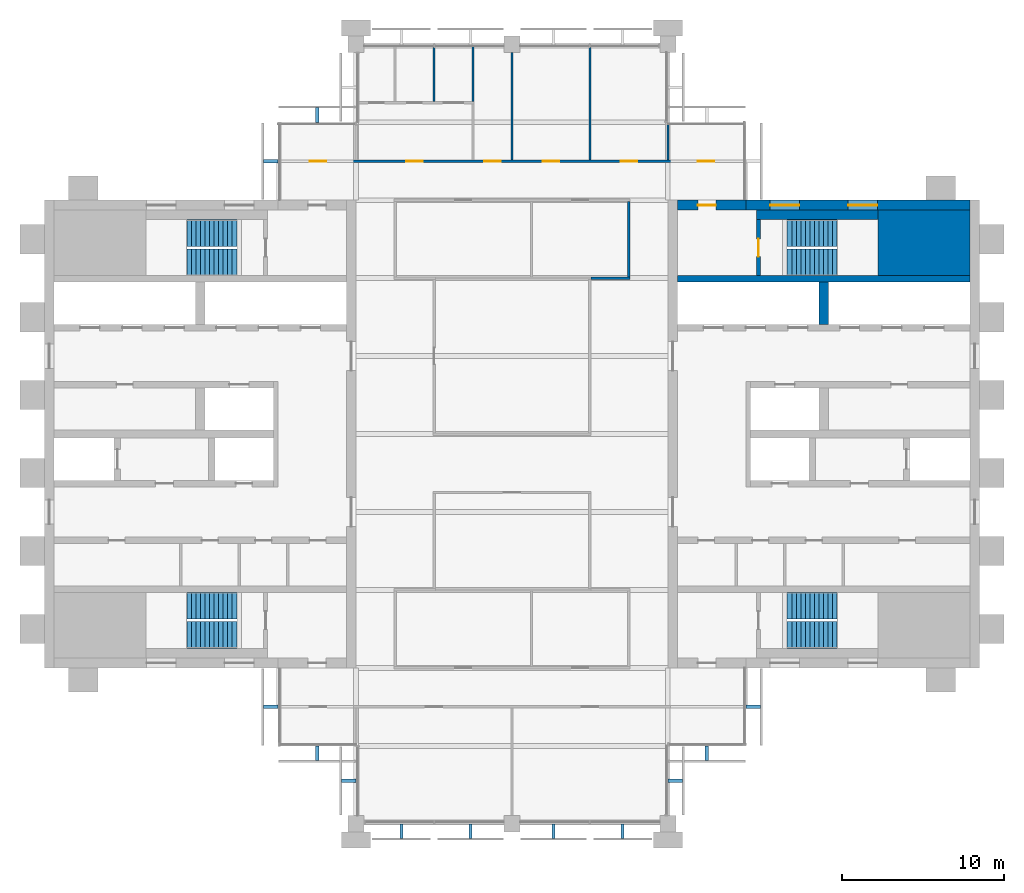
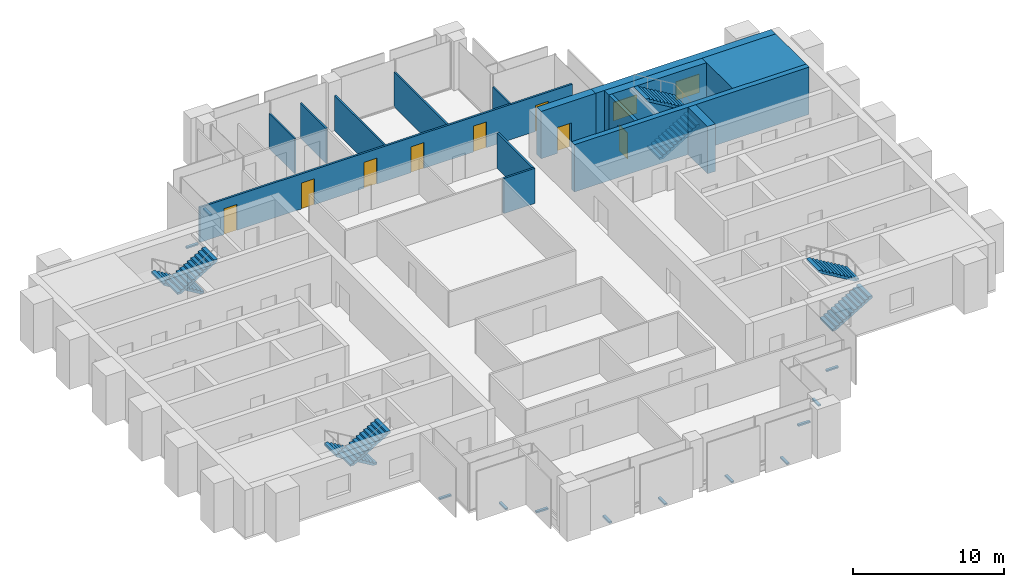
# One storey, part 11 of 13: 15 walls, 12 discrete accessories, 8 doors, 8 stair flights, 2 windows, 10 openings, 4 elements without a shape of their own.
"""IFC4 building model written with IfcOpenShell, lengths in metres."""

from ifc_helpers import new_model, si_unit, direction, frame, frame_2d, origin, origin_2d, place, context, subcontext, project, spatial, polyline, rectangle, outline, extrude, material, layer, layer_set, type_object, element, fill, aggregate, save


model = new_model("IFC4")

# Units and contexts
model_context = context("Model", 3, precision=1e-05, world=origin(), true_north=direction((0.0, 1.0)))
body_context = subcontext(model_context, "Body", "Model", "MODEL_VIEW")
ifc_project = project(units=[si_unit("LENGTHUNIT", "METRE"), si_unit("AREAUNIT", "SQUARE_METRE"), si_unit("VOLUMEUNIT", "CUBIC_METRE"), si_unit("PLANEANGLEUNIT", "RADIAN"), si_unit("MASSUNIT", "GRAM", prefix="KILO")], contexts=[model_context])

# Site, building, storey
site_placement = place(None, origin())
site = spatial("IfcSite", under=ifc_project, at=site_placement, CompositionType="ELEMENT")
building_placement = place(site_placement, origin())
building = spatial("IfcBuilding", under=site, at=building_placement, Name="Baori Bourse Tower", CompositionType="ELEMENT")
storey_placement = place(building_placement, frame((0.0, 0.0, 346.300048828125)))
storey = spatial("IfcBuildingStorey", under=building, at=storey_placement, Name="L77", CompositionType="ELEMENT", Elevation=346.300048828125)

# Wall
ifc_material_1 = material(Name="Concrete f'c 40 MPa", Category="concrete")
wall_type_1 = type_object("IfcWallType", Name="Core corner block f'c 40", PredefinedType="SHEAR", material=ifc_material_1)
wall_1_placement = place(storey_placement, frame((51.35009765625, 35.77490234375, 0.0), z_axis=(0.0, 0.0, 1.0), x_axis=(1.0, 0.0, 0.0)))
element("IfcWall", 1, at=wall_1_placement, inside=storey, type_object=wall_type_1, Name="Core wall E23", PredefinedType="SHEAR", context=body_context, shape_type="SweptSolid", body=[
    extrude(rectangle(XDim=5.64990234375, YDim=4.050048828125, at=frame_2d((2.824951171875, 0.0))), origin(), (0.0, 0.0, 1.0), 3.83984375),
])

# Wall, openings, windows
ifc_material_2 = material(Name="Concrete f'c 40 MPa", Category="concrete")
ifc_layer_1 = layer(ifc_material_2, 0.60009765625)
ifc_layer_set_1 = layer_set([ifc_layer_1], Name="Core wall 600 f'c 40")
wall_type_2 = type_object("IfcWallType", Name="Core wall 600 f'c 40", PredefinedType="SHEAR", material=ifc_layer_set_1)
wall_2_placement = place(storey_placement, frame((43.199951171875, 38.10009765625, 0.0), z_axis=(0.0, 0.0, 1.0), x_axis=(1.0, 0.0, 0.0)))
wall_2 = element("IfcWall", 2, at=wall_2_placement, inside=storey, type_object=wall_type_2, Name="Core wall E26", PredefinedType="SHEAR", context=body_context, shape_type="SweptSolid", body=[
    extrude(rectangle(XDim=13.800048828125, YDim=0.60009765625, at=frame_2d((6.89990234375, 0.0))), origin(), (0.0, 0.0, 1.0), 3.83984375),
])
opening_1_placement = place(wall_2_placement, frame((6.300048828125, 0.0, 0.89990234375)))
opening_1 = element("IfcOpeningElement", 3, at=opening_1_placement, cuts=wall_2, Name="Opening L77-KW205", PredefinedType="OPENING", context=body_context, shape_type="SweptSolid", body=[
    extrude(rectangle(XDim=1.800048828125, YDim=1.5, at=frame_2d((0.89990234375, 0.75))), frame((0.0, 0.31005859375, 0.0), z_axis=(0.0, -1.0, 0.0), x_axis=(1.0, 0.0, 0.0)), (0.0, 0.0, 1.0), 0.6201171875),
])
opening_2_placement = place(wall_2_placement, frame((1.5, 0.0, 0.89990234375)))
opening_2 = element("IfcOpeningElement", 4, at=opening_2_placement, cuts=wall_2, Name="Opening L77-KW206", PredefinedType="OPENING", context=body_context, shape_type="SweptSolid", body=[
    extrude(rectangle(XDim=1.800048828125, YDim=1.5, at=frame_2d((0.89990234375, 0.75))), frame((0.0, 0.31005859375, 0.0), z_axis=(0.0, -1.0, 0.0), x_axis=(1.0, 0.0, 0.0)), (0.0, 0.0, 1.0), 0.6201171875),
])
ifc_material_3 = material(Name="Pale anodised aluminium", Category="aluminium")
window_type = type_object("IfcWindowType", Name="Stair window 1800 x 1500", PartitioningType="SINGLE_PANEL", PredefinedType="WINDOW", material=ifc_material_3)
window_1_placement = place(opening_1_placement, origin())
window_1 = element("IfcWindow", 5, at=window_1_placement, inside=storey, type_object=window_type, Name="Stair window E L77 5", OverallHeight=1.5, OverallWidth=1.800048828125, PartitioningType="SINGLE_PANEL", PredefinedType="WINDOW", context=body_context, shape_type="SweptSolid", body=[
    extrude(rectangle(XDim=1.800048828125, YDim=1.5, at=frame_2d((0.89990234375, 0.75))), frame((0.0, 0.030029296875, 0.0), z_axis=(0.0, -1.0, 0.0), x_axis=(1.0, 0.0, 0.0)), (0.0, 0.0, 1.0), 0.06005859375),
])
fill(opening_1, window_1)
window_2_placement = place(opening_2_placement, origin())
window_2 = element("IfcWindow", 6, at=window_2_placement, inside=storey, type_object=window_type, Name="Stair window E L77 6", OverallHeight=1.5, OverallWidth=1.800048828125, PartitioningType="SINGLE_PANEL", PredefinedType="WINDOW", context=body_context, shape_type="SweptSolid", body=[
    extrude(rectangle(XDim=1.800048828125, YDim=1.5, at=frame_2d((0.89990234375, 0.75))), frame((0.0, 0.030029296875, 0.0), z_axis=(0.0, -1.0, 0.0), x_axis=(1.0, 0.0, 0.0)), (0.0, 0.0, 1.0), 0.06005859375),
])
fill(opening_2, window_2)

# Wall, opening, door
wall_3_placement = place(storey_placement, frame((39.0, 38.10009765625, 0.0), z_axis=(0.0, 0.0, 1.0), x_axis=(1.0, 0.0, 0.0)))
wall_3 = element("IfcWall", 7, at=wall_3_placement, inside=storey, type_object=wall_type_2, Name="Core wall E27", PredefinedType="SHEAR", context=body_context, shape_type="SweptSolid", body=[
    extrude(rectangle(XDim=4.199951171875, YDim=0.60009765625, at=frame_2d((2.10009765625, 0.0))), origin(), (0.0, 0.0, 1.0), 3.83984375),
])
opening_3_placement = place(wall_3_placement, frame((1.25, 0.0, 0.0)))
opening_3 = element("IfcOpeningElement", 8, at=opening_3_placement, cuts=wall_3, Name="Opening L77-D204", PredefinedType="OPENING", context=body_context, shape_type="SweptSolid", body=[
    extrude(rectangle(XDim=1.10009765625, YDim=2.10009765625, at=frame_2d((0.550048828125, 1.050048828125))), frame((0.0, 0.31005859375, 0.0), z_axis=(0.0, -1.0, 0.0), x_axis=(1.0, 0.0, 0.0)), (0.0, 0.0, 1.0), 0.6201171875),
])
ifc_material_4 = material(Name="Painted steel door", Category="steel")
door_type_1 = type_object("IfcDoorType", Name="Stair door 1100", OperationType="SINGLE_SWING_LEFT", PredefinedType="DOOR", material=ifc_material_4)
door_1_placement = place(opening_3_placement, origin())
door_1 = element("IfcDoor", 9, at=door_1_placement, inside=storey, type_object=door_type_1, Name="Stair vestibule door B E L77", OperationType="SINGLE_SWING_LEFT", OverallHeight=2.10009765625, OverallWidth=1.10009765625, PredefinedType="DOOR", context=body_context, shape_type="SweptSolid", body=[
    extrude(rectangle(XDim=1.10009765625, YDim=2.10009765625, at=frame_2d((0.550048828125, 1.050048828125))), frame((0.0, 0.02490234375, 0.0), z_axis=(0.0, -1.0, 0.0), x_axis=(1.0, 0.0, 0.0)), (0.0, 0.0, 1.0), 0.050048828125),
])
fill(opening_3, door_1)

# Wall
ifc_material_5 = material(Name="Gypsum board partition")
ifc_layer_2 = layer(ifc_material_5, 0.14990234375)
ifc_layer_set_2 = layer_set([ifc_layer_2], Name="Corridor partition 150")
wall_type_3 = type_object("IfcWallType", Name="Corridor partition 150", PredefinedType="PARTITIONING", material=ifc_layer_set_2)
wall_4_placement = place(storey_placement, frame((33.675048828125, 33.60009765625, 0.0), z_axis=(0.0, 0.0, 1.0), x_axis=(1.0, 0.0, 0.0)))
element("IfcWall", 10, at=wall_4_placement, inside=storey, type_object=wall_type_3, Name="Partition", PredefinedType="PARTITIONING", context=body_context, shape_type="SweptSolid", body=[
    extrude(rectangle(XDim=2.39990234375, YDim=0.14990234375, at=frame_2d((1.199951171875, 0.0))), origin(), (0.0, 0.0, 1.0), 2.849365234375),
])

# Wall, openings, doors
wall_5_placement = place(storey_placement, frame((14.5, 40.800048828125, 0.0), z_axis=(0.0, 0.0, 1.0), x_axis=(1.0, 0.0, 0.0)))
wall_5 = element("IfcWall", 11, at=wall_5_placement, inside=storey, type_object=wall_type_3, Name="Partition", PredefinedType="PARTITIONING", context=body_context, shape_type="SweptSolid", body=[
    extrude(rectangle(XDim=28.60009765625, YDim=0.14990234375, at=frame_2d((14.300048828125, 0.0))), origin(), (0.0, 0.0, 1.0), 2.849365234375),
])
opening_4_placement = place(wall_5_placement, frame((1.85009765625, 0.0, 0.0)))
opening_4 = element("IfcOpeningElement", 12, at=opening_4_placement, cuts=wall_5, Name="Opening L77-D09", PredefinedType="OPENING", context=body_context, shape_type="SweptSolid", body=[
    extrude(rectangle(XDim=1.0, YDim=2.10009765625, at=frame_2d((0.5, 1.050048828125))), frame((0.0, 0.0849609375, 0.0), z_axis=(0.0, -1.0, 0.0), x_axis=(1.0, 0.0, 0.0)), (0.0, 0.0, 1.0), 0.169921875),
])
opening_5_placement = place(wall_5_placement, frame((7.800048828125, 0.0, 0.0)))
opening_5 = element("IfcOpeningElement", 13, at=opening_5_placement, cuts=wall_5, Name="Opening L77-D10", PredefinedType="OPENING", context=body_context, shape_type="SweptSolid", body=[
    extrude(rectangle(XDim=1.0, YDim=2.10009765625, at=frame_2d((0.5, 1.050048828125))), frame((0.0, 0.0849609375, 0.0), z_axis=(0.0, -1.0, 0.0), x_axis=(1.0, 0.0, 0.0)), (0.0, 0.0, 1.0), 0.169921875),
])
opening_6_placement = place(wall_5_placement, frame((12.60009765625, 0.0, 0.0)))
opening_6 = element("IfcOpeningElement", 14, at=opening_6_placement, cuts=wall_5, Name="Opening L77-D11", PredefinedType="OPENING", context=body_context, shape_type="SweptSolid", body=[
    extrude(rectangle(XDim=1.0, YDim=2.10009765625, at=frame_2d((0.5, 1.050048828125))), frame((0.0, 0.0849609375, 0.0), z_axis=(0.0, -1.0, 0.0), x_axis=(1.0, 0.0, 0.0)), (0.0, 0.0, 1.0), 0.169921875),
])
opening_7_placement = place(wall_5_placement, frame((16.199951171875, 0.0, 0.0)))
opening_7 = element("IfcOpeningElement", 15, at=opening_7_placement, cuts=wall_5, Name="Opening L77-D12", PredefinedType="OPENING", context=body_context, shape_type="SweptSolid", body=[
    extrude(rectangle(XDim=1.0, YDim=2.10009765625, at=frame_2d((0.5, 1.050048828125))), frame((0.0, 0.0849609375, 0.0), z_axis=(0.0, -1.0, 0.0), x_axis=(1.0, 0.0, 0.0)), (0.0, 0.0, 1.0), 0.169921875),
])
opening_8_placement = place(wall_5_placement, frame((21.0, 0.0, 0.0)))
opening_8 = element("IfcOpeningElement", 16, at=opening_8_placement, cuts=wall_5, Name="Opening L77-D13", PredefinedType="OPENING", context=body_context, shape_type="SweptSolid", body=[
    extrude(rectangle(XDim=1.0, YDim=2.10009765625, at=frame_2d((0.5, 1.050048828125))), frame((0.0, 0.0849609375, 0.0), z_axis=(0.0, -1.0, 0.0), x_axis=(1.0, 0.0, 0.0)), (0.0, 0.0, 1.0), 0.169921875),
])
opening_9_placement = place(wall_5_placement, frame((25.75, 0.0, 0.0)))
opening_9 = element("IfcOpeningElement", 17, at=opening_9_placement, cuts=wall_5, Name="Opening L77-D14", PredefinedType="OPENING", context=body_context, shape_type="SweptSolid", body=[
    extrude(rectangle(XDim=1.0, YDim=2.10009765625, at=frame_2d((0.5, 1.050048828125))), frame((0.0, 0.0849609375, 0.0), z_axis=(0.0, -1.0, 0.0), x_axis=(1.0, 0.0, 0.0)), (0.0, 0.0, 1.0), 0.169921875),
])
ifc_material_6 = material(Name="Timber door leaf", Category="wood")
door_type_2 = type_object("IfcDoorType", Name="Door 1000 x 2100", OperationType="SINGLE_SWING_LEFT", PredefinedType="DOOR", material=ifc_material_6)
door_2_placement = place(opening_4_placement, origin())
door_2 = element("IfcDoor", 18, at=door_2_placement, inside=storey, type_object=door_type_2, Name="Door", OperationType="SINGLE_SWING_RIGHT", OverallHeight=2.10009765625, OverallWidth=1.0, PredefinedType="DOOR", context=body_context, shape_type="SweptSolid", body=[
    extrude(rectangle(XDim=1.0, YDim=2.10009765625, at=frame_2d((0.5, 1.050048828125))), frame((0.0, 0.02490234375, 0.0), z_axis=(0.0, -1.0, 0.0), x_axis=(1.0, 0.0, 0.0)), (0.0, 0.0, 1.0), 0.050048828125),
])
fill(opening_4, door_2)
door_3_placement = place(opening_5_placement, origin())
door_3 = element("IfcDoor", 19, at=door_3_placement, inside=storey, type_object=door_type_2, Name="Door", OperationType="SINGLE_SWING_LEFT", OverallHeight=2.10009765625, OverallWidth=1.0, PredefinedType="DOOR", context=body_context, shape_type="SweptSolid", body=[
    extrude(rectangle(XDim=1.0, YDim=2.10009765625, at=frame_2d((0.5, 1.050048828125))), frame((0.0, 0.02490234375, 0.0), z_axis=(0.0, -1.0, 0.0), x_axis=(1.0, 0.0, 0.0)), (0.0, 0.0, 1.0), 0.050048828125),
])
fill(opening_5, door_3)
door_4_placement = place(opening_6_placement, origin())
door_4 = element("IfcDoor", 20, at=door_4_placement, inside=storey, type_object=door_type_2, Name="Door", OperationType="SINGLE_SWING_RIGHT", OverallHeight=2.10009765625, OverallWidth=1.0, PredefinedType="DOOR", context=body_context, shape_type="SweptSolid", body=[
    extrude(rectangle(XDim=1.0, YDim=2.10009765625, at=frame_2d((0.5, 1.050048828125))), frame((0.0, 0.02490234375, 0.0), z_axis=(0.0, -1.0, 0.0), x_axis=(1.0, 0.0, 0.0)), (0.0, 0.0, 1.0), 0.050048828125),
])
fill(opening_6, door_4)
door_5_placement = place(opening_7_placement, origin())
door_5 = element("IfcDoor", 21, at=door_5_placement, inside=storey, type_object=door_type_2, Name="Door", OperationType="SINGLE_SWING_LEFT", OverallHeight=2.10009765625, OverallWidth=1.0, PredefinedType="DOOR", context=body_context, shape_type="SweptSolid", body=[
    extrude(rectangle(XDim=1.0, YDim=2.10009765625, at=frame_2d((0.5, 1.050048828125))), frame((0.0, 0.02490234375, 0.0), z_axis=(0.0, -1.0, 0.0), x_axis=(1.0, 0.0, 0.0)), (0.0, 0.0, 1.0), 0.050048828125),
])
fill(opening_7, door_5)
door_6_placement = place(opening_8_placement, origin())
door_6 = element("IfcDoor", 22, at=door_6_placement, inside=storey, type_object=door_type_2, Name="Door", OperationType="SINGLE_SWING_LEFT", OverallHeight=2.10009765625, OverallWidth=1.0, PredefinedType="DOOR", context=body_context, shape_type="SweptSolid", body=[
    extrude(rectangle(XDim=1.0, YDim=2.10009765625, at=frame_2d((0.5, 1.050048828125))), frame((0.0, 0.02490234375, 0.0), z_axis=(0.0, -1.0, 0.0), x_axis=(1.0, 0.0, 0.0)), (0.0, 0.0, 1.0), 0.050048828125),
])
fill(opening_8, door_6)
door_7_placement = place(opening_9_placement, origin())
door_7 = element("IfcDoor", 23, at=door_7_placement, inside=storey, type_object=door_type_2, Name="Door", OperationType="SINGLE_SWING_LEFT", OverallHeight=2.10009765625, OverallWidth=1.0, PredefinedType="DOOR", context=body_context, shape_type="SweptSolid", body=[
    extrude(rectangle(XDim=1.0, YDim=2.10009765625, at=frame_2d((0.5, 1.050048828125))), frame((0.0, 0.02490234375, 0.0), z_axis=(0.0, -1.0, 0.0), x_axis=(1.0, 0.0, 0.0)), (0.0, 0.0, 1.0), 0.050048828125),
])
fill(opening_9, door_7)

# Walls
wall_6_placement = place(storey_placement, frame((36.0, 33.675048828125, 0.0), z_axis=(0.0, 0.0, 1.0), x_axis=(0.0, 1.0, 0.0)))
element("IfcWall", 24, at=wall_6_placement, inside=storey, type_object=wall_type_3, Name="Partition", PredefinedType="PARTITIONING", context=body_context, shape_type="SweptSolid", body=[
    extrude(rectangle(XDim=4.64990234375, YDim=0.14990234375, at=frame_2d((2.324951171875, 0.0))), origin(), (0.0, 0.0, 1.0), 2.849365234375),
])
ifc_material_7 = material(Name="Gypsum board partition")
ifc_layer_3 = layer(ifc_material_7, 0.125)
ifc_layer_set_3 = layer_set([ifc_layer_3], Name="Partition 125")
wall_type_4 = type_object("IfcWallType", Name="Partition 125", PredefinedType="PARTITIONING", material=ifc_layer_set_3)
for number, where, z_axis, x_axis, name in (
    (25, (24.0, 44.47509765625, 0.0), (0.0, 0.0, 1.0), (0.0, 1.0, 0.0), "Partition"),
    (26, (26.39990234375, 44.47509765625, 0.0), (0.0, 0.0, 1.0), (0.0, 1.0, 0.0), "Partition"),
):
    element("IfcWall", number, at=place(storey_placement, frame(where, z_axis=z_axis, x_axis=x_axis)), inside=storey, type_object=wall_type_4, Name=name, PredefinedType="PARTITIONING", context=body_context, shape_type="SweptSolid", body=[
        extrude(rectangle(XDim=3.4248046875, YDim=0.125, at=frame_2d((1.71240234375, 0.0))), origin(), (0.0, 0.0, 1.0), 2.849365234375),
    ])
wall_7_placement = place(storey_placement, frame((28.800048828125, 40.875, 0.0), z_axis=(0.0, 0.0, 1.0), x_axis=(0.0, 1.0, 0.0)))
element("IfcWall", 27, at=wall_7_placement, inside=storey, type_object=wall_type_4, Name="Partition", PredefinedType="PARTITIONING", context=body_context, shape_type="SweptSolid", body=[
    extrude(rectangle(XDim=6.625, YDim=0.125, at=frame_2d((3.3125, 0.0))), origin(), (0.0, 0.0, 1.0), 2.849365234375),
])
wall_8_placement = place(storey_placement, frame((33.60009765625, 40.875, 0.0), z_axis=(0.0, 0.0, 1.0), x_axis=(0.0, 1.0, 0.0)))
element("IfcWall", 28, at=wall_8_placement, inside=storey, type_object=wall_type_4, Name="Partition", PredefinedType="PARTITIONING", context=body_context, shape_type="SweptSolid", body=[
    extrude(rectangle(XDim=7.02490234375, YDim=0.125, at=frame_2d((3.512451171875, 0.0))), origin(), (0.0, 0.0, 1.0), 2.849365234375),
])
wall_9_placement = place(storey_placement, frame((38.39990234375, 40.875, 0.0), z_axis=(0.0, 0.0, 1.0), x_axis=(0.0, 1.0, 0.0)))
element("IfcWall", 29, at=wall_9_placement, inside=storey, type_object=wall_type_4, Name="Partition", PredefinedType="PARTITIONING", context=body_context, shape_type="SweptSolid", body=[
    extrude(rectangle(XDim=2.22509765625, YDim=0.125, at=frame_2d((1.112548828125, 0.0))), origin(), (0.0, 0.0, 1.0), 2.849365234375),
])

# Wall, opening, door
ifc_material_8 = material(Name="Concrete f'c 40 MPa", Category="concrete")
ifc_layer_4 = layer(ifc_material_8, 0.25)
ifc_layer_set_4 = layer_set([ifc_layer_4], Name="Shaft wall 250 f'c 40")
wall_type_5 = type_object("IfcWallType", Name="Shaft wall 250 f'c 40", PredefinedType="SHEAR", material=ifc_layer_set_4)
wall_10_placement = place(storey_placement, frame((43.97509765625, 33.75, 0.0), z_axis=(0.0, 0.0, 1.0), x_axis=(0.0, 1.0, 0.0)))
wall_10 = element("IfcWall", 30, at=wall_10_placement, inside=storey, type_object=wall_type_5, Name="Core wall E24", PredefinedType="SHEAR", context=body_context, shape_type="SweptSolid", body=[
    extrude(rectangle(XDim=3.449951171875, YDim=0.25, at=frame_2d((1.72509765625, 0.0))), origin(), (0.0, 0.0, 1.0), 3.83984375),
])
opening_10_placement = place(wall_10_placement, frame((1.175048828125, 0.0, 0.0)))
opening_10 = element("IfcOpeningElement", 31, at=opening_10_placement, cuts=wall_10, Name="Opening L77-D203", PredefinedType="OPENING", context=body_context, shape_type="SweptSolid", body=[
    extrude(rectangle(XDim=1.10009765625, YDim=2.10009765625, at=frame_2d((0.550048828125, 1.050048828125))), frame((0.0, 0.135009765625, 0.0), z_axis=(0.0, -1.0, 0.0), x_axis=(1.0, 0.0, 0.0)), (0.0, 0.0, 1.0), 0.27001953125),
])
door_8_placement = place(opening_10_placement, origin())
door_8 = element("IfcDoor", 32, at=door_8_placement, inside=storey, type_object=door_type_1, Name="Stair door B E L77", OperationType="SINGLE_SWING_LEFT", OverallHeight=2.10009765625, OverallWidth=1.10009765625, PredefinedType="DOOR", context=body_context, shape_type="SweptSolid", body=[
    extrude(rectangle(XDim=1.10009765625, YDim=2.10009765625, at=frame_2d((0.550048828125, 1.050048828125))), frame((0.0, 0.02490234375, 0.0), z_axis=(0.0, -1.0, 0.0), x_axis=(1.0, 0.0, 0.0)), (0.0, 0.0, 1.0), 0.050048828125),
])
fill(opening_10, door_8)

# Walls
ifc_material_9 = material(Name="Concrete f'c 40 MPa", Category="concrete")
ifc_layer_5 = layer(ifc_material_9, 0.39990234375)
ifc_layer_set_5 = layer_set([ifc_layer_5], Name="Shaft wall 400 f'c 40")
wall_type_6 = type_object("IfcWallType", Name="Shaft wall 400 f'c 40", PredefinedType="SHEAR", material=ifc_layer_set_5)
wall_11_placement = place(storey_placement, frame((39.0, 33.550048828125, 0.0), z_axis=(0.0, 0.0, 1.0), x_axis=(1.0, 0.0, 0.0)))
element("IfcWall", 33, at=wall_11_placement, inside=storey, type_object=wall_type_6, Name="Core wall E22", PredefinedType="SHEAR", context=body_context, shape_type="SweptSolid", body=[
    extrude(rectangle(XDim=18.0, YDim=0.39990234375, at=frame_2d((9.0, 0.0))), origin(), (0.0, 0.0, 1.0), 3.83984375),
])
ifc_material_10 = material(Name="Concrete f'c 40 MPa", Category="concrete")
ifc_layer_6 = layer(ifc_material_10, 0.60009765625)
ifc_layer_set_6 = layer_set([ifc_layer_6], Name="Shaft wall 600 f'c 40")
wall_type_7 = type_object("IfcWallType", Name="Shaft wall 600 f'c 40", PredefinedType="SHEAR", material=ifc_layer_set_6)
wall_12_placement = place(storey_placement, frame((48.0, 30.75, 0.0), z_axis=(0.0, 0.0, 1.0), x_axis=(0.0, 1.0, 0.0)))
element("IfcWall", 34, at=wall_12_placement, inside=storey, type_object=wall_type_7, Name="Core wall E21", PredefinedType="SHEAR", context=body_context, shape_type="SweptSolid", body=[
    extrude(rectangle(XDim=2.60009765625, YDim=0.60009765625, at=frame_2d((1.300048828125, 0.0))), origin(), (0.0, 0.0, 1.0), 3.83984375),
])
wall_13_placement = place(storey_placement, frame((43.85009765625, 37.5, 0.0), z_axis=(0.0, 0.0, 1.0), x_axis=(1.0, 0.0, 0.0)))
element("IfcWall", 35, at=wall_13_placement, inside=storey, type_object=wall_type_7, Name="Core wall E25", PredefinedType="SHEAR", context=body_context, shape_type="SweptSolid", body=[
    extrude(rectangle(XDim=7.5, YDim=0.60009765625, at=frame_2d((3.75, 0.0))), origin(), (0.0, 0.0, 1.0), 3.83984375),
])

# Stair, stair flights
ifc_material_11 = material(Name="Concrete f'c 50 MPa", Category="concrete")
stair_type = type_object("IfcStairType", Name="Core stair", PredefinedType="HALF_TURN_STAIR", material=ifc_material_11)
stair_1_placement = place(storey_placement, origin())
stair_1 = element("IfcStair", 36, at=stair_1_placement, inside=storey, type_object=stair_type, Name="L77 Stair WA", PredefinedType="HALF_TURN_STAIR")
ifc_material_12 = material(Name="Concrete f'c 50 MPa", Category="concrete")
stair_flight_type = type_object("IfcStairFlightType", Name="Core stair flight", PredefinedType="STRAIGHT", material=ifc_material_12)
stair_flight_1_placement = place(storey_placement, frame((11.85009765625, 13.425048828125, 0.0), z_axis=(0.0, 0.0, 1.0), x_axis=(-1.0, 0.0, 0.0)))
stair_flight_1 = element("IfcStairFlight", 37, at=stair_flight_1_placement, type_object=stair_flight_type, Name="ST1 flight 1", NumberOfRisers=12, NumberOfTreads=11, PredefinedType="STRAIGHT", RiserHeight=0.166666667, TreadLength=0.28, context=body_context, shape_type="SweptSolid", body=[
    extrude(outline(polyline([(0.0, 0.0), (0.0, 0.166748046875), (0.280029296875, 0.166748046875), (0.280029296875, 0.333251953125), (0.56005859375, 0.333251953125), (0.56005859375, 0.5), (0.840087890625, 0.5), (0.840087890625, 0.666748046875), (1.1201171875, 0.666748046875), (1.1201171875, 0.833251953125), (1.39990234375, 0.833251953125), (1.39990234375, 1.0), (1.679931640625, 1.0), (1.679931640625, 1.166748046875), (1.9599609375, 1.166748046875), (1.9599609375, 1.333251953125), (2.239990234375, 1.333251953125), (2.239990234375, 1.5), (2.52001953125, 1.5), (2.52001953125, 1.666748046875), (2.800048828125, 1.666748046875), (2.800048828125, 1.833251953125), (3.080078125, 1.833251953125), (3.080078125, 2.0), (3.080078125, 1.658935546875), (0.29296875, 0.0), (0.0, 0.0)])), frame((0.0, 0.824951171875, 0.0), z_axis=(0.0, -1.0, 0.0), x_axis=(1.0, 0.0, 0.0)), (0.0, 0.0, 1.0), 1.64990234375),
])
stair_flight_2_placement = place(storey_placement, frame((8.77001953125, 11.625, 2.0), z_axis=(0.0, 0.0, 1.0), x_axis=(1.0, 0.0, 0.0)))
stair_flight_2 = element("IfcStairFlight", 38, at=stair_flight_2_placement, type_object=stair_flight_type, Name="ST1 flight 2", NumberOfRisers=12, NumberOfTreads=11, PredefinedType="STRAIGHT", RiserHeight=0.166666667, TreadLength=0.28, context=body_context, shape_type="SweptSolid", body=[
    extrude(outline(polyline([(0.0, 0.0), (0.0, 0.166748046875), (0.280029296875, 0.166748046875), (0.280029296875, 0.333251953125), (0.56005859375, 0.333251953125), (0.56005859375, 0.5), (0.840087890625, 0.5), (0.840087890625, 0.666748046875), (1.1201171875, 0.666748046875), (1.1201171875, 0.833251953125), (1.39990234375, 0.833251953125), (1.39990234375, 1.0), (1.679931640625, 1.0), (1.679931640625, 1.166748046875), (1.9599609375, 1.166748046875), (1.9599609375, 1.333251953125), (2.239990234375, 1.333251953125), (2.239990234375, 1.5), (2.52001953125, 1.5), (2.52001953125, 1.666748046875), (2.800048828125, 1.666748046875), (2.800048828125, 1.833251953125), (3.080078125, 1.833251953125), (3.080078125, 2.0), (3.080078125, 1.658935546875), (0.29296875, 0.0), (0.0, 0.0)])), frame((0.0, 0.824951171875, 0.0), z_axis=(0.0, -1.0, 0.0), x_axis=(1.0, 0.0, 0.0)), (0.0, 0.0, 1.0), 1.64990234375),
])
aggregate(stair_1, [stair_flight_1, stair_flight_2])

stair_2_placement = place(storey_placement, origin())
stair_2 = element("IfcStair", 39, at=stair_2_placement, inside=storey, type_object=stair_type, Name="L77 Stair WB", PredefinedType="HALF_TURN_STAIR")
stair_flight_3_placement = place(storey_placement, frame((11.85009765625, 36.375, 0.0), z_axis=(0.0, 0.0, 1.0), x_axis=(-1.0, 0.0, 0.0)))
stair_flight_3 = element("IfcStairFlight", 40, at=stair_flight_3_placement, type_object=stair_flight_type, Name="ST2 flight 1", NumberOfRisers=12, NumberOfTreads=11, PredefinedType="STRAIGHT", RiserHeight=0.166666667, TreadLength=0.28, context=body_context, shape_type="SweptSolid", body=[
    extrude(outline(polyline([(0.0, 0.0), (0.0, 0.166748046875), (0.280029296875, 0.166748046875), (0.280029296875, 0.333251953125), (0.56005859375, 0.333251953125), (0.56005859375, 0.5), (0.840087890625, 0.5), (0.840087890625, 0.666748046875), (1.1201171875, 0.666748046875), (1.1201171875, 0.833251953125), (1.39990234375, 0.833251953125), (1.39990234375, 1.0), (1.679931640625, 1.0), (1.679931640625, 1.166748046875), (1.9599609375, 1.166748046875), (1.9599609375, 1.333251953125), (2.239990234375, 1.333251953125), (2.239990234375, 1.5), (2.52001953125, 1.5), (2.52001953125, 1.666748046875), (2.800048828125, 1.666748046875), (2.800048828125, 1.833251953125), (3.080078125, 1.833251953125), (3.080078125, 2.0), (3.080078125, 1.658935546875), (0.29296875, 0.0), (0.0, 0.0)])), frame((0.0, 0.824951171875, 0.0), z_axis=(0.0, -1.0, 0.0), x_axis=(1.0, 0.0, 0.0)), (0.0, 0.0, 1.0), 1.64990234375),
])
stair_flight_4_placement = place(storey_placement, frame((8.77001953125, 34.574951171875, 2.0), z_axis=(0.0, 0.0, 1.0), x_axis=(1.0, 0.0, 0.0)))
stair_flight_4 = element("IfcStairFlight", 41, at=stair_flight_4_placement, type_object=stair_flight_type, Name="ST2 flight 2", NumberOfRisers=12, NumberOfTreads=11, PredefinedType="STRAIGHT", RiserHeight=0.166666667, TreadLength=0.28, context=body_context, shape_type="SweptSolid", body=[
    extrude(outline(polyline([(0.0, 0.0), (0.0, 0.166748046875), (0.280029296875, 0.166748046875), (0.280029296875, 0.333251953125), (0.56005859375, 0.333251953125), (0.56005859375, 0.5), (0.840087890625, 0.5), (0.840087890625, 0.666748046875), (1.1201171875, 0.666748046875), (1.1201171875, 0.833251953125), (1.39990234375, 0.833251953125), (1.39990234375, 1.0), (1.679931640625, 1.0), (1.679931640625, 1.166748046875), (1.9599609375, 1.166748046875), (1.9599609375, 1.333251953125), (2.239990234375, 1.333251953125), (2.239990234375, 1.5), (2.52001953125, 1.5), (2.52001953125, 1.666748046875), (2.800048828125, 1.666748046875), (2.800048828125, 1.833251953125), (3.080078125, 1.833251953125), (3.080078125, 2.0), (3.080078125, 1.658935546875), (0.29296875, 0.0), (0.0, 0.0)])), frame((0.0, 0.824951171875, 0.0), z_axis=(0.0, -1.0, 0.0), x_axis=(1.0, 0.0, 0.0)), (0.0, 0.0, 1.0), 1.64990234375),
])
aggregate(stair_2, [stair_flight_3, stair_flight_4])

stair_3_placement = place(storey_placement, origin())
stair_3 = element("IfcStair", 42, at=stair_3_placement, inside=storey, type_object=stair_type, Name="L77 Stair EA", PredefinedType="HALF_TURN_STAIR")
stair_flight_5_placement = place(storey_placement, frame((45.75, 11.625, 0.0), z_axis=(0.0, 0.0, 1.0), x_axis=(1.0, 0.0, 0.0)))
stair_flight_5 = element("IfcStairFlight", 43, at=stair_flight_5_placement, type_object=stair_flight_type, Name="ST3 flight 1", NumberOfRisers=12, NumberOfTreads=11, PredefinedType="STRAIGHT", RiserHeight=0.166666667, TreadLength=0.28, context=body_context, shape_type="SweptSolid", body=[
    extrude(outline(polyline([(0.0, 0.0), (0.0, 0.166748046875), (0.280029296875, 0.166748046875), (0.280029296875, 0.333251953125), (0.56005859375, 0.333251953125), (0.56005859375, 0.5), (0.840087890625, 0.5), (0.840087890625, 0.666748046875), (1.1201171875, 0.666748046875), (1.1201171875, 0.833251953125), (1.39990234375, 0.833251953125), (1.39990234375, 1.0), (1.679931640625, 1.0), (1.679931640625, 1.166748046875), (1.9599609375, 1.166748046875), (1.9599609375, 1.333251953125), (2.239990234375, 1.333251953125), (2.239990234375, 1.5), (2.52001953125, 1.5), (2.52001953125, 1.666748046875), (2.800048828125, 1.666748046875), (2.800048828125, 1.833251953125), (3.080078125, 1.833251953125), (3.080078125, 2.0), (3.080078125, 1.658935546875), (0.29296875, 0.0), (0.0, 0.0)])), frame((0.0, 0.824951171875, 0.0), z_axis=(0.0, -1.0, 0.0), x_axis=(1.0, 0.0, 0.0)), (0.0, 0.0, 1.0), 1.64990234375),
])
stair_flight_6_placement = place(storey_placement, frame((48.830078125, 13.425048828125, 2.0), z_axis=(0.0, 0.0, 1.0), x_axis=(-1.0, 0.0, 0.0)))
stair_flight_6 = element("IfcStairFlight", 44, at=stair_flight_6_placement, type_object=stair_flight_type, Name="ST3 flight 2", NumberOfRisers=12, NumberOfTreads=11, PredefinedType="STRAIGHT", RiserHeight=0.166666667, TreadLength=0.28, context=body_context, shape_type="SweptSolid", body=[
    extrude(outline(polyline([(0.0, 0.0), (0.0, 0.166748046875), (0.280029296875, 0.166748046875), (0.280029296875, 0.333251953125), (0.56005859375, 0.333251953125), (0.56005859375, 0.5), (0.840087890625, 0.5), (0.840087890625, 0.666748046875), (1.1201171875, 0.666748046875), (1.1201171875, 0.833251953125), (1.39990234375, 0.833251953125), (1.39990234375, 1.0), (1.679931640625, 1.0), (1.679931640625, 1.166748046875), (1.9599609375, 1.166748046875), (1.9599609375, 1.333251953125), (2.239990234375, 1.333251953125), (2.239990234375, 1.5), (2.52001953125, 1.5), (2.52001953125, 1.666748046875), (2.800048828125, 1.666748046875), (2.800048828125, 1.833251953125), (3.080078125, 1.833251953125), (3.080078125, 2.0), (3.080078125, 1.658935546875), (0.29296875, 0.0), (0.0, 0.0)])), frame((0.0, 0.824951171875, 0.0), z_axis=(0.0, -1.0, 0.0), x_axis=(1.0, 0.0, 0.0)), (0.0, 0.0, 1.0), 1.64990234375),
])
aggregate(stair_3, [stair_flight_5, stair_flight_6])

stair_4_placement = place(storey_placement, origin())
stair_4 = element("IfcStair", 45, at=stair_4_placement, inside=storey, type_object=stair_type, Name="L77 Stair EB", PredefinedType="HALF_TURN_STAIR")
stair_flight_7_placement = place(storey_placement, frame((45.75, 34.574951171875, 0.0), z_axis=(0.0, 0.0, 1.0), x_axis=(1.0, 0.0, 0.0)))
stair_flight_7 = element("IfcStairFlight", 46, at=stair_flight_7_placement, type_object=stair_flight_type, Name="ST4 flight 1", NumberOfRisers=12, NumberOfTreads=11, PredefinedType="STRAIGHT", RiserHeight=0.166666667, TreadLength=0.28, context=body_context, shape_type="SweptSolid", body=[
    extrude(outline(polyline([(0.0, 0.0), (0.0, 0.166748046875), (0.280029296875, 0.166748046875), (0.280029296875, 0.333251953125), (0.56005859375, 0.333251953125), (0.56005859375, 0.5), (0.840087890625, 0.5), (0.840087890625, 0.666748046875), (1.1201171875, 0.666748046875), (1.1201171875, 0.833251953125), (1.39990234375, 0.833251953125), (1.39990234375, 1.0), (1.679931640625, 1.0), (1.679931640625, 1.166748046875), (1.9599609375, 1.166748046875), (1.9599609375, 1.333251953125), (2.239990234375, 1.333251953125), (2.239990234375, 1.5), (2.52001953125, 1.5), (2.52001953125, 1.666748046875), (2.800048828125, 1.666748046875), (2.800048828125, 1.833251953125), (3.080078125, 1.833251953125), (3.080078125, 2.0), (3.080078125, 1.658935546875), (0.29296875, 0.0), (0.0, 0.0)])), frame((0.0, 0.824951171875, 0.0), z_axis=(0.0, -1.0, 0.0), x_axis=(1.0, 0.0, 0.0)), (0.0, 0.0, 1.0), 1.64990234375),
])
stair_flight_8_placement = place(storey_placement, frame((48.830078125, 36.375, 2.0), z_axis=(0.0, 0.0, 1.0), x_axis=(-1.0, 0.0, 0.0)))
stair_flight_8 = element("IfcStairFlight", 47, at=stair_flight_8_placement, type_object=stair_flight_type, Name="ST4 flight 2", NumberOfRisers=12, NumberOfTreads=11, PredefinedType="STRAIGHT", RiserHeight=0.166666667, TreadLength=0.28, context=body_context, shape_type="SweptSolid", body=[
    extrude(outline(polyline([(0.0, 0.0), (0.0, 0.166748046875), (0.280029296875, 0.166748046875), (0.280029296875, 0.333251953125), (0.56005859375, 0.333251953125), (0.56005859375, 0.5), (0.840087890625, 0.5), (0.840087890625, 0.666748046875), (1.1201171875, 0.666748046875), (1.1201171875, 0.833251953125), (1.39990234375, 0.833251953125), (1.39990234375, 1.0), (1.679931640625, 1.0), (1.679931640625, 1.166748046875), (1.9599609375, 1.166748046875), (1.9599609375, 1.333251953125), (2.239990234375, 1.333251953125), (2.239990234375, 1.5), (2.52001953125, 1.5), (2.52001953125, 1.666748046875), (2.800048828125, 1.666748046875), (2.800048828125, 1.833251953125), (3.080078125, 1.833251953125), (3.080078125, 2.0), (3.080078125, 1.658935546875), (0.29296875, 0.0), (0.0, 0.0)])), frame((0.0, 0.824951171875, 0.0), z_axis=(0.0, -1.0, 0.0), x_axis=(1.0, 0.0, 0.0)), (0.0, 0.0, 1.0), 1.64990234375),
])
aggregate(stair_4, [stair_flight_7, stair_flight_8])

# Discrete accessories
ifc_material_13 = material(Name="Pale anodised aluminium", Category="aluminium")
discrete_accessory_type = type_object("IfcDiscreteAccessoryType", Name="OS2 Outer skin bracket", PredefinedType="BRACKET", material=ifc_material_13)
for number, where, z_axis, x_axis, name in (
    (48, (16.800048828125, 43.64990234375, -0.14404296875), (0.0, 0.0, 1.0), (-1.0, 0.0, 0.0), "Outer skin bracket L77 9"),
    (49, (13.949951171875, 40.800048828125, -0.14404296875), (0.0, 0.0, 1.0), (0.0, -1.0, 0.0), "Outer skin bracket L77 10"),
    (50, (13.949951171875, 7.199951171875, -0.14404296875), (0.0, 0.0, 1.0), (0.0, -1.0, 0.0), "Outer skin bracket L77 11"),
    (51, (16.800048828125, 4.35009765625, -0.14404296875), (0.0, 0.0, 1.0), (1.0, 0.0, 0.0), "Outer skin bracket L77 12"),
    (52, (18.75, 2.64990234375, -0.14404296875), (0.0, 0.0, 1.0), (0.0, -1.0, 0.0), "Outer skin bracket L77 13"),
    (53, (21.987548828125, -0.449951171875, -0.14404296875), (0.0, 0.0, 1.0), (1.0, 0.0, 0.0), "Outer skin bracket L77 14"),
    (54, (26.237548828125, -0.449951171875, -0.14404296875), (0.0, 0.0, 1.0), (1.0, 0.0, 0.0), "Outer skin bracket L77 15"),
    (55, (31.362548828125, -0.449951171875, -0.14404296875), (0.0, 0.0, 1.0), (1.0, 0.0, 0.0), "Outer skin bracket L77 16"),
    (56, (35.612548828125, -0.449951171875, -0.14404296875), (0.0, 0.0, 1.0), (1.0, 0.0, 0.0), "Outer skin bracket L77 17"),
    (57, (38.85009765625, 2.64990234375, -0.14404296875), (0.0, 0.0, 1.0), (0.0, 1.0, 0.0), "Outer skin bracket L77 18"),
    (58, (40.800048828125, 4.35009765625, -0.14404296875), (0.0, 0.0, 1.0), (1.0, 0.0, 0.0), "Outer skin bracket L77 19"),
    (59, (43.64990234375, 7.199951171875, -0.14404296875), (0.0, 0.0, 1.0), (0.0, 1.0, 0.0), "Outer skin bracket L77 20"),
):
    element("IfcDiscreteAccessory", number, at=place(storey_placement, frame(where, z_axis=z_axis, x_axis=x_axis)), inside=storey, type_object=discrete_accessory_type, Name=name, PredefinedType="BRACKET", context=body_context, shape_type="SweptSolid", body=[
        extrude(rectangle(XDim=0.199951171875, YDim=0.89990234375, at=origin_2d()), origin(), (0.0, 0.0, 1.0), 0.1279296875),
    ])

save(model, "model.ifc")
